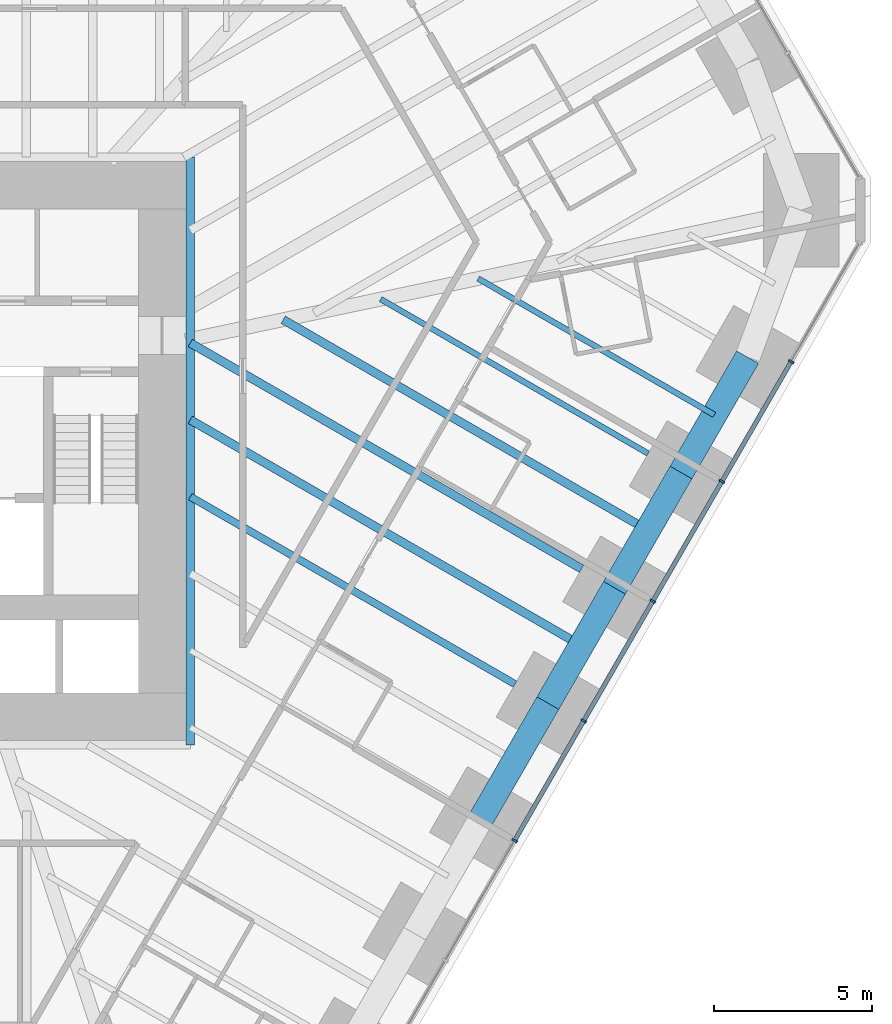
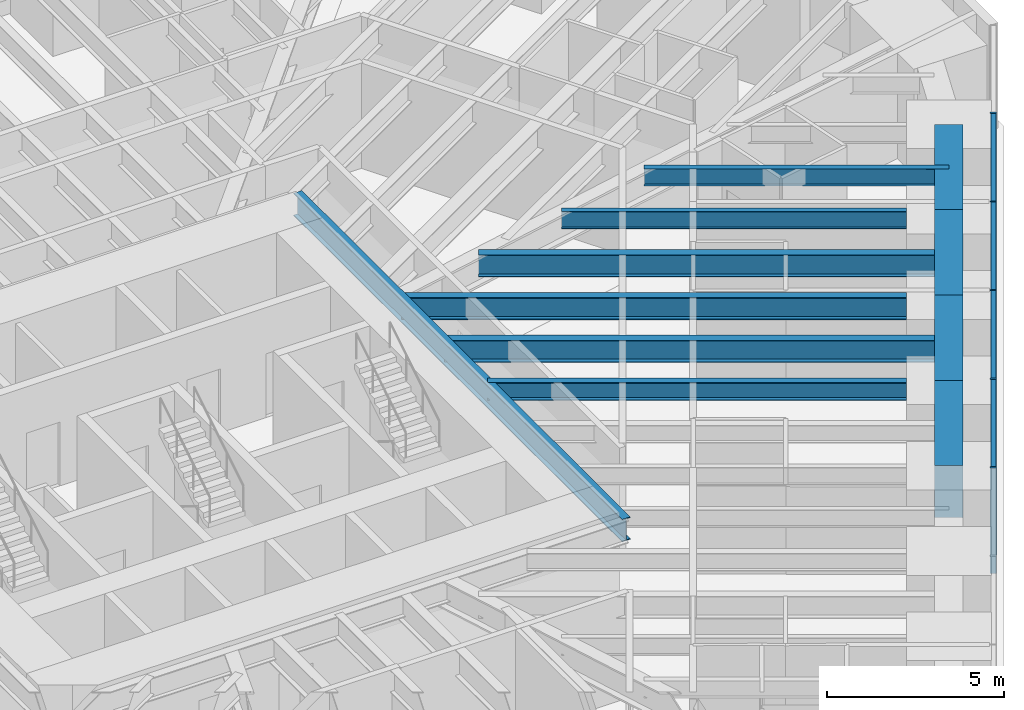
# One storey, part 6 of 17: 11 beams, 9 members, 1 element without a shape of its own.
"""IFC4 building model written with IfcOpenShell, lengths in metres."""

from ifc_helpers import new_model, si_unit, direction, frame, origin, origin_2d, place, context, subcontext, project, spatial, rectangle, i_section, extrude, material, material_profile, profile_set, type_object, element, aggregate, save


model = new_model("IFC4")

# Units and contexts
model_context = context("Model", 3, precision=1e-05, world=origin(), true_north=direction((0.0, 1.0)))
body_context = subcontext(model_context, "Body", "Model", "MODEL_VIEW")
ifc_project = project(units=[si_unit("LENGTHUNIT", "METRE"), si_unit("AREAUNIT", "SQUARE_METRE"), si_unit("VOLUMEUNIT", "CUBIC_METRE"), si_unit("PLANEANGLEUNIT", "RADIAN"), si_unit("MASSUNIT", "GRAM", prefix="KILO")], contexts=[model_context])

# Site, building, storey
site_placement = place(None, origin())
site = spatial("IfcSite", under=ifc_project, at=site_placement, CompositionType="ELEMENT")
building_placement = place(site_placement, origin())
building = spatial("IfcBuilding", under=site, at=building_placement, Name="Sandreach Pilgrim Tower", CompositionType="ELEMENT")
storey_placement = place(building_placement, frame((0.0, 0.0, 53.39990234375)))
storey = spatial("IfcBuildingStorey", under=building, at=storey_placement, Name="L12", CompositionType="ELEMENT", Elevation=53.39990234375)

# Curtain wall, members
ifc_material_1 = material(Name="Aluminium framed curtain wall", Category="aluminium")
curtain_wall_type = type_object("IfcCurtainWallType", Name="Hostel tower curtain wall", PredefinedType="NOTDEFINED", material=ifc_material_1)
curtain_wall_placement = place(storey_placement, origin())
curtain_wall = element("IfcCurtainWall", 1, at=curtain_wall_placement, inside=storey, type_object=curtain_wall_type, Name="CW-1 L12 SE", PredefinedType="NOTDEFINED")
ifc_material_2 = material(Name="Aluminium extrusion", Category="aluminium")
ifc_material_profile_1 = material_profile(ifc_material_2, rectangle(XDim=0.06494140625, YDim=0.179931640625, at=origin_2d()), Name="CW-1M 65X180")
ifc_profile_set_1 = profile_set([ifc_material_profile_1], Name="Aluminium extrusion")
member_type_1 = type_object("IfcMemberType", Name="CW-1 mullion", PredefinedType="MULLION", material=ifc_profile_set_1)
member_1_placement = place(storey_placement, frame((28.390380859375, 1.2763671875, 0.0), z_axis=(0.0, 0.0, 1.0), x_axis=(-0.5, -0.866025403784, 0.0)))
member_1 = element("IfcMember", 2, at=member_1_placement, type_object=member_type_1, Name="CW-1 mullion 2", PredefinedType="MULLION", context=body_context, shape_type="SweptSolid", body=[
    extrude(rectangle(XDim=0.06494140625, YDim=0.179931640625, at=origin_2d()), origin(), (0.0, 0.0, 1.0), 3.64013671875),
])
member_2_placement = place(storey_placement, frame((26.20458984375, -2.509521484375, 0.0), z_axis=(0.0, 0.0, 1.0), x_axis=(-0.5, -0.866025403784, 0.0)))
member_2 = element("IfcMember", 3, at=member_2_placement, type_object=member_type_1, Name="CW-1 mullion 3", PredefinedType="MULLION", context=body_context, shape_type="SweptSolid", body=[
    extrude(rectangle(XDim=0.06494140625, YDim=0.179931640625, at=origin_2d()), origin(), (0.0, 0.0, 1.0), 3.64013671875),
])
member_3_placement = place(storey_placement, frame((24.018798828125, -6.29541015625, 0.0), z_axis=(0.0, 0.0, 1.0), x_axis=(-0.5, -0.866025403784, 0.0)))
member_3 = element("IfcMember", 4, at=member_3_placement, type_object=member_type_1, Name="CW-1 mullion 4", PredefinedType="MULLION", context=body_context, shape_type="SweptSolid", body=[
    extrude(rectangle(XDim=0.06494140625, YDim=0.179931640625, at=origin_2d()), origin(), (0.0, 0.0, 1.0), 3.64013671875),
])
member_4_placement = place(storey_placement, frame((21.8330078125, -10.081298828125, 0.0), z_axis=(0.0, 0.0, 1.0), x_axis=(-0.5, -0.866025403784, 0.0)))
member_4 = element("IfcMember", 5, at=member_4_placement, type_object=member_type_1, Name="CW-1 mullion 5", PredefinedType="MULLION", context=body_context, shape_type="SweptSolid", body=[
    extrude(rectangle(XDim=0.06494140625, YDim=0.179931640625, at=origin_2d()), origin(), (0.0, 0.0, 1.0), 3.64013671875),
])
member_5_placement = place(storey_placement, frame((19.647216796875, -13.8671875, 0.0), z_axis=(0.0, 0.0, 1.0), x_axis=(-0.5, -0.866025403784, 0.0)))
member_5 = element("IfcMember", 6, at=member_5_placement, type_object=member_type_1, Name="CW-1 mullion 6", PredefinedType="MULLION", context=body_context, shape_type="SweptSolid", body=[
    extrude(rectangle(XDim=0.06494140625, YDim=0.179931640625, at=origin_2d()), origin(), (0.0, 0.0, 1.0), 3.64013671875),
])
ifc_material_3 = material(Name="Aluminium extrusion", Category="aluminium")
ifc_material_profile_2 = material_profile(ifc_material_3, rectangle(XDim=0.139892578125, YDim=0.070068359375, at=origin_2d()), Name="CW-1T 140X70")
ifc_profile_set_2 = profile_set([ifc_material_profile_2], Name="Aluminium extrusion")
member_type_2 = type_object("IfcMemberType", Name="CW-1 transom", PredefinedType="USERDEFINED", material=ifc_profile_set_2)
member_6_placement = place(storey_placement, frame((28.374267578125, 1.248046875, 3.60498046875), z_axis=(-0.500016891966, -0.866015650984, 0.0), x_axis=(0.866015650984, -0.500016891966, 0.0)))
member_6 = element("IfcMember", 7, at=member_6_placement, type_object=member_type_2, Name="CW-1 head transom 2", ObjectType="TRANSOM", PredefinedType="USERDEFINED", context=body_context, shape_type="SweptSolid", body=[
    extrude(rectangle(XDim=0.139892578125, YDim=0.070068359375, at=origin_2d()), origin(), (0.0, 0.0, 1.0), 4.306396484375),
])
member_7_placement = place(storey_placement, frame((26.1884765625, -2.537841796875, 3.60498046875), z_axis=(-0.500016891966, -0.866015650984, 0.0), x_axis=(0.866015650984, -0.500016891966, 0.0)))
member_7 = element("IfcMember", 8, at=member_7_placement, type_object=member_type_2, Name="CW-1 head transom 3", ObjectType="TRANSOM", PredefinedType="USERDEFINED", context=body_context, shape_type="SweptSolid", body=[
    extrude(rectangle(XDim=0.139892578125, YDim=0.070068359375, at=origin_2d()), origin(), (0.0, 0.0, 1.0), 4.306396484375),
])
member_8_placement = place(storey_placement, frame((24.002685546875, -6.32373046875, 3.60498046875), z_axis=(-0.500016891966, -0.866015650984, 0.0), x_axis=(0.866015650984, -0.500016891966, 0.0)))
member_8 = element("IfcMember", 9, at=member_8_placement, type_object=member_type_2, Name="CW-1 head transom 4", ObjectType="TRANSOM", PredefinedType="USERDEFINED", context=body_context, shape_type="SweptSolid", body=[
    extrude(rectangle(XDim=0.139892578125, YDim=0.070068359375, at=origin_2d()), origin(), (0.0, 0.0, 1.0), 4.306396484375),
])
member_9_placement = place(storey_placement, frame((21.81689453125, -10.109619140625, 3.60498046875), z_axis=(-0.500016891966, -0.866015650984, 0.0), x_axis=(0.866015650984, -0.500016891966, 0.0)))
member_9 = element("IfcMember", 10, at=member_9_placement, type_object=member_type_2, Name="CW-1 head transom 5", ObjectType="TRANSOM", PredefinedType="USERDEFINED", context=body_context, shape_type="SweptSolid", body=[
    extrude(rectangle(XDim=0.139892578125, YDim=0.070068359375, at=origin_2d()), origin(), (0.0, 0.0, 1.0), 4.306396484375),
])
aggregate(curtain_wall, [member_1, member_2, member_3, member_4, member_5, member_6, member_7, member_8, member_9])

# Beams
ifc_material_4 = material(Name="Steel ASTM A992 Grade 50", Category="steel")
ifc_material_profile_3 = material_profile(ifc_material_4, i_section(OverallWidth=0.2666015625, OverallDepth=0.77978515625, WebThickness=0.0166015625, FlangeThickness=0.030029296875, at=origin_2d()), Name="W30X148")
ifc_profile_set_3 = profile_set([ifc_material_profile_3], Name="Steel ASTM A992 Grade 50")
beam_type_1 = type_object("IfcBeamType", Name="Core edge beam W30X148", PredefinedType="BEAM", material=ifc_profile_set_3)
beam_1_placement = place(storey_placement, frame((9.393310546875, 7.743408203125, 3.250244140625), z_axis=(0.0, -1.0, 0.0), x_axis=(1.0, 0.0, 0.0)))
element("IfcBeam", 11, at=beam_1_placement, inside=storey, type_object=beam_type_1, Name="BM L12 CEE", PredefinedType="BEAM", context=body_context, shape_type="SweptSolid", body=[
    extrude(i_section(OverallWidth=0.2666015625, OverallDepth=0.77978515625, WebThickness=0.0166015625, FlangeThickness=0.030029296875, at=origin_2d()), origin(), (0.0, 0.0, 1.0), 18.586669921875),
])
ifc_material_5 = material(Name="Steel ASTM A992 Grade 50", Category="steel")
ifc_material_profile_4 = material_profile(ifc_material_5, i_section(OverallWidth=0.1787109375, OverallDepth=0.60205078125, WebThickness=0.010986328125, FlangeThickness=0.014892578125, at=origin_2d()), Name="W24X62")
ifc_profile_set_4 = profile_set([ifc_material_profile_4], Name="Steel ASTM A992 Grade 50")
beam_type_2 = type_object("IfcBeamType", Name="Floor beam W24X62", PredefinedType="BEAM", material=ifc_profile_set_4)
beam_2_placement = place(storey_placement, frame((23.8720703125, -1.629638671875, 3.339111328125), z_axis=(-0.866025751498, 0.499999397742, 0.0), x_axis=(-0.499999397742, -0.866025751498, 0.0)))
element("IfcBeam", 12, at=beam_2_placement, inside=storey, type_object=beam_type_2, Name="BM L12 F15", PredefinedType="BEAM", context=body_context, shape_type="SweptSolid", body=[
    extrude(i_section(OverallWidth=0.1787109375, OverallDepth=0.60205078125, WebThickness=0.010986328125, FlangeThickness=0.014892578125, at=origin_2d()), origin(), (0.0, 0.0, 1.0), 9.767578125),
])
beam_3_placement = place(storey_placement, frame((25.9638671875, -0.40673828125, 3.339111328125), z_axis=(-0.866020100198, 0.500009185969, 0.0), x_axis=(-0.500009185969, -0.866020100198, 0.0)))
element("IfcBeam", 13, at=beam_3_placement, inside=storey, type_object=beam_type_2, Name="BM L12 FM14", PredefinedType="BEAM", context=body_context, shape_type="SweptSolid", body=[
    extrude(i_section(OverallWidth=0.1787109375, OverallDepth=0.60205078125, WebThickness=0.010986328125, FlangeThickness=0.014892578125, at=origin_2d()), origin(), (0.0, 0.0, 1.0), 8.623291015625),
])
ifc_material_6 = material(Name="Steel ASTM A992 Grade 50", Category="steel")
ifc_material_profile_5 = material_profile(ifc_material_6, i_section(OverallWidth=0.23046875, OverallDepth=0.6171875, WebThickness=0.01318359375, FlangeThickness=0.022216796875, at=origin_2d()), Name="W24X94")
ifc_profile_set_5 = profile_set([ifc_material_profile_5], Name="Steel ASTM A992 Grade 50")
beam_type_3 = type_object("IfcBeamType", Name="Floor beam W24X94", PredefinedType="BEAM", material=ifc_profile_set_5)
beam_4_placement = place(storey_placement, frame((19.662353515625, -8.92138671875, 3.33154296875), z_axis=(-0.866029924088, 0.499992170523, 0.0), x_axis=(-0.499992170523, -0.866029924088, 0.0)))
element("IfcBeam", 14, at=beam_4_placement, inside=storey, type_object=beam_type_3, Name="BM L12 F17", PredefinedType="BEAM", context=body_context, shape_type="SweptSolid", body=[
    extrude(i_section(OverallWidth=0.23046875, OverallDepth=0.6171875, WebThickness=0.01318359375, FlangeThickness=0.022216796875, at=origin_2d()), origin(), (0.0, 0.0, 1.0), 11.857666015625),
])
ifc_material_7 = material(Name="Steel ASTM A992 Grade 50", Category="steel")
ifc_material_profile_6 = material_profile(ifc_material_7, i_section(OverallWidth=0.2666015625, OverallDepth=0.761962890625, WebThickness=0.014404296875, FlangeThickness=0.021484375, at=origin_2d()), Name="W30X116")
ifc_profile_set_6 = profile_set([ifc_material_profile_6], Name="Steel ASTM A992 Grade 50")
beam_type_4 = type_object("IfcBeamType", Name="Floor beam W30X116", PredefinedType="BEAM", material=ifc_profile_set_6)
beam_5_placement = place(storey_placement, frame((21.76708984375, -5.275390625, 3.259033203125), z_axis=(-0.866024247282, 0.500002003116, 0.0), x_axis=(-0.500002003116, -0.866024247282, 0.0)))
element("IfcBeam", 15, at=beam_5_placement, inside=storey, type_object=beam_type_4, Name="BM L12 F16", PredefinedType="BEAM", context=body_context, shape_type="SweptSolid", body=[
    extrude(i_section(OverallWidth=0.2666015625, OverallDepth=0.761962890625, WebThickness=0.014404296875, FlangeThickness=0.021484375, at=origin_2d()), origin(), (0.0, 0.0, 1.0), 14.2880859375),
])
beam_6_placement = place(storey_placement, frame((23.85888671875, -4.052490234375, 3.259033203125), z_axis=(-0.866029213426, 0.499993401449, 0.0), x_axis=(-0.499993401449, -0.866029213426, 0.0)))
element("IfcBeam", 16, at=beam_6_placement, inside=storey, type_object=beam_type_4, Name="BM L12 FM15", PredefinedType="BEAM", context=body_context, shape_type="SweptSolid", body=[
    extrude(i_section(OverallWidth=0.2666015625, OverallDepth=0.761962890625, WebThickness=0.014404296875, FlangeThickness=0.021484375, at=origin_2d()), origin(), (0.0, 0.0, 1.0), 13.311767578125),
])
beam_7_placement = place(storey_placement, frame((21.75390625, -7.698486328125, 3.259033203125), z_axis=(-0.866022935671, 0.500004274874, 0.0), x_axis=(-0.500004274874, -0.866022935671, 0.0)))
element("IfcBeam", 17, at=beam_7_placement, inside=storey, type_object=beam_type_4, Name="BM L12 FM16", PredefinedType="BEAM", context=body_context, shape_type="SweptSolid", body=[
    extrude(i_section(OverallWidth=0.2666015625, OverallDepth=0.761962890625, WebThickness=0.014404296875, FlangeThickness=0.021484375, at=origin_2d()), origin(), (0.0, 0.0, 1.0), 14.27294921875),
])
ifc_material_8 = material(Name="Concrete 10000 psi", Category="concrete")
ifc_material_profile_7 = material_profile(ifc_material_8, rectangle(XDim=0.800048828125, YDim=1.800048828125, at=origin_2d()), Name="RC800X1800")
ifc_profile_set_7 = profile_set([ifc_material_profile_7], Name="Concrete 10000 psi")
beam_type_5 = type_object("IfcBeamType", Name="Spandrel beam RC800X1800", PredefinedType="SPANDREL", material=ifc_profile_set_7)
beam_8_placement = place(storey_placement, frame((27.016357421875, 1.416259765625, 2.739990234375), z_axis=(-0.499993523031, -0.866029143232, 0.0), x_axis=(0.866029143232, -0.499993523031, 0.0)))
element("IfcBeam", 18, at=beam_8_placement, inside=storey, type_object=beam_type_5, Name="BM L12 SP14", PredefinedType="SPANDREL", context=body_context, shape_type="SweptSolid", body=[
    extrude(rectangle(XDim=0.800048828125, YDim=1.800048828125, at=origin_2d()), origin(), (0.0, 0.0, 1.0), 4.2099609375),
])
beam_9_placement = place(storey_placement, frame((24.911376953125, -2.229736328125, 2.739990234375), z_axis=(-0.50001863446, -0.866014644907, 0.0), x_axis=(0.866014644907, -0.50001863446, 0.0)))
element("IfcBeam", 19, at=beam_9_placement, inside=storey, type_object=beam_type_5, Name="BM L12 SP15", PredefinedType="SPANDREL", context=body_context, shape_type="SweptSolid", body=[
    extrude(rectangle(XDim=0.800048828125, YDim=1.800048828125, at=origin_2d()), origin(), (0.0, 0.0, 1.0), 4.209716796875),
])
beam_10_placement = place(storey_placement, frame((22.806396484375, -5.87548828125, 2.739990234375), z_axis=(-0.499993523031, -0.866029143232, 0.0), x_axis=(0.866029143232, -0.499993523031, 0.0)))
element("IfcBeam", 20, at=beam_10_placement, inside=storey, type_object=beam_type_5, Name="BM L12 SP16", PredefinedType="SPANDREL", context=body_context, shape_type="SweptSolid", body=[
    extrude(rectangle(XDim=0.800048828125, YDim=1.800048828125, at=origin_2d()), origin(), (0.0, 0.0, 1.0), 4.2099609375),
])
beam_11_placement = place(storey_placement, frame((20.701416015625, -9.521484375, 2.739990234375), z_axis=(-0.50001863446, -0.866014644907, 0.0), x_axis=(0.866014644907, -0.50001863446, 0.0)))
element("IfcBeam", 21, at=beam_11_placement, inside=storey, type_object=beam_type_5, Name="BM L12 SP17", PredefinedType="SPANDREL", context=body_context, shape_type="SweptSolid", body=[
    extrude(rectangle(XDim=0.800048828125, YDim=1.800048828125, at=origin_2d()), origin(), (0.0, 0.0, 1.0), 4.209716796875),
])

save(model, "model.ifc")
